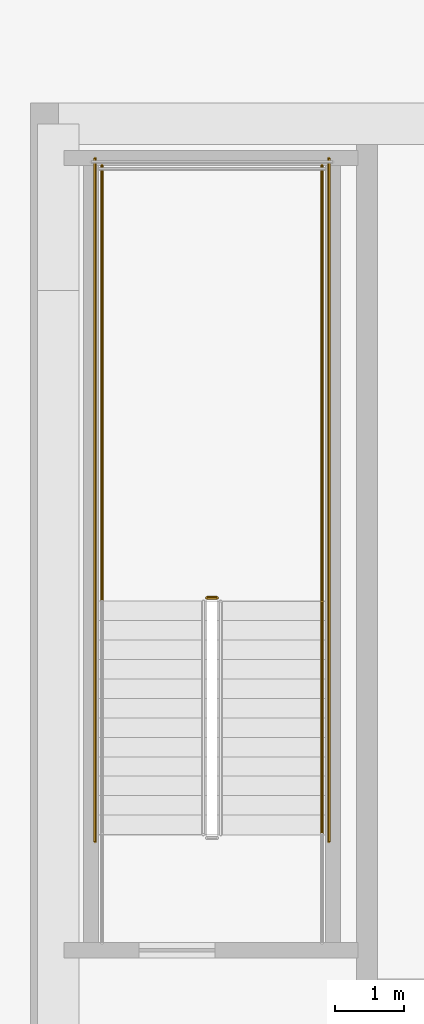
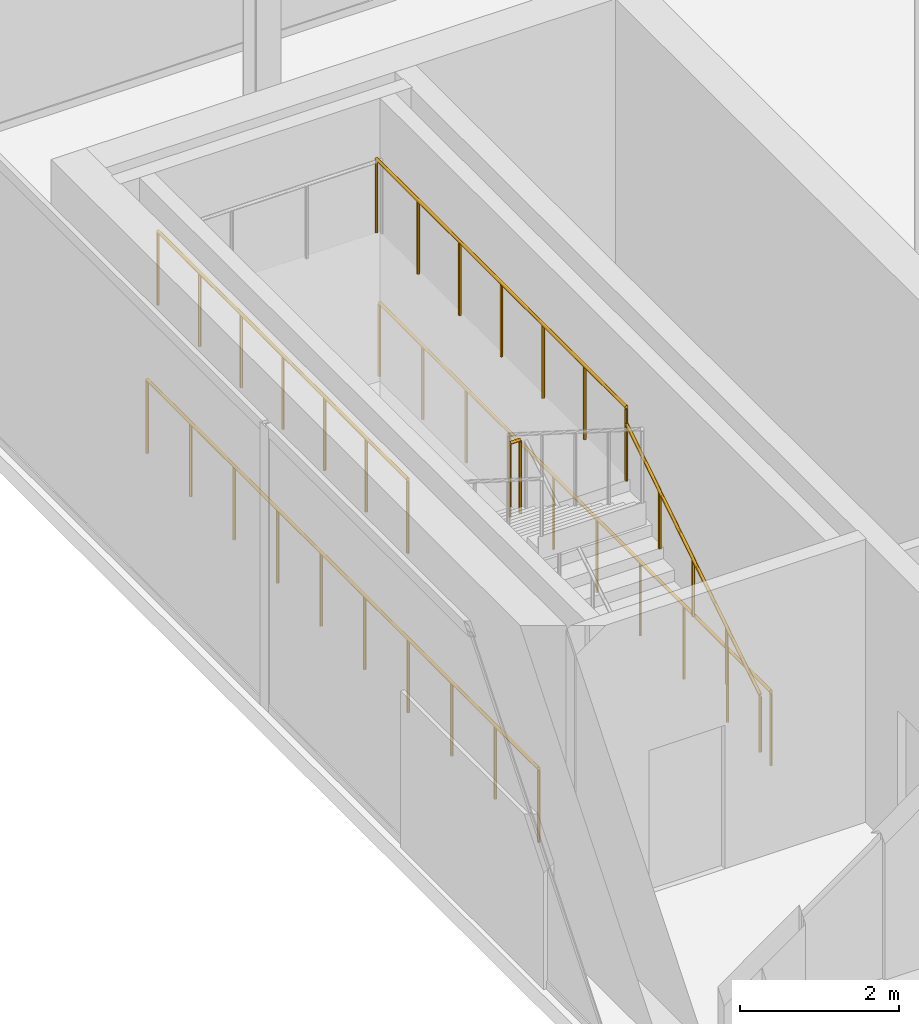
# One storey, part 13 of 15: 6 railings.
"""IFC4 building model written with IfcOpenShell, lengths in metres."""

from ifc_helpers import new_model, si_unit, direction, frame, origin, origin_2d, place, context, subcontext, project, spatial, circle, extrude, material, type_object, element, save


model = new_model("IFC4")

# Units and contexts
model_context = context("Model", 3, precision=1e-05, world=origin(), true_north=direction((0.0, 1.0)))
body_context = subcontext(model_context, "Body", "Model", "MODEL_VIEW")
ifc_project = project(units=[si_unit("LENGTHUNIT", "METRE"), si_unit("AREAUNIT", "SQUARE_METRE"), si_unit("VOLUMEUNIT", "CUBIC_METRE"), si_unit("PLANEANGLEUNIT", "RADIAN"), si_unit("MASSUNIT", "GRAM", prefix="KILO")], contexts=[model_context])

# Site, building, storey
site_placement = place(None, origin())
site = spatial("IfcSite", under=ifc_project, at=site_placement, CompositionType="ELEMENT")
building_placement = place(site_placement, origin())
building = spatial("IfcBuilding", under=site, at=building_placement, Name="Khairoan Windgate Tower", CompositionType="ELEMENT")
storey_placement = place(building_placement, frame((0.0, 0.0, 330.39990234375)))
storey = spatial("IfcBuildingStorey", under=building, at=storey_placement, Name="L79", CompositionType="ELEMENT", Elevation=330.39990234375)

# Railings
ifc_material_1 = material(Name="Anodised Bronze Aluminium 6063-T6", Category="aluminium")
railing_type_1 = type_object("IfcRailingType", Name="Stair Wall Handrail SHR-900", PredefinedType="HANDRAIL", material=ifc_material_1)
railing_1_placement = place(storey_placement, frame((-16.199951171875, 2.9599609375, 0.177001953125)))
element("IfcRailing", 1, at=railing_1_placement, inside=storey, type_object=railing_type_1, Name="L79 ST2 stair handrail 1", PredefinedType="HANDRAIL", context=body_context, shape_type="SweptSolid", body=[
    extrude(circle(Radius=0.02392578125, at=origin_2d()), frame((0.0, 0.0, 0.8759765625), z_axis=(0.0, 0.845389635667, 0.534150132366), x_axis=(-1.0, 0.0, 0.0)), (0.0, 0.0, 1.0), 3.974609375),
    extrude(circle(Radius=0.02099609375, at=origin_2d()), origin(), (0.0, 0.0, 1.0), 0.851806640625),
    extrude(circle(Radius=0.02099609375, at=origin_2d()), frame((0.0, 0.840087890625, 0.53076171875)), (0.0, 0.0, 1.0), 0.851806640625),
    extrude(circle(Radius=0.02099609375, at=origin_2d()), frame((0.0, 1.68017578125, 1.0615234375)), (0.0, 0.0, 1.0), 0.851806640625),
    extrude(circle(Radius=0.02099609375, at=origin_2d()), frame((0.0, 2.52001953125, 1.59228515625)), (0.0, 0.0, 1.0), 0.851806640625),
    extrude(circle(Radius=0.02099609375, at=origin_2d()), frame((0.0, 3.360107421875, 2.123046875)), (0.0, 0.0, 1.0), 0.851806640625),
])
ifc_material_2 = material(Name="Steel S355", Category="steel")
railing_type_2 = type_object("IfcRailingType", Name="Stairwell Safety Guardrail SGR-1150", PredefinedType="GUARDRAIL", material=ifc_material_2)
railing_2_placement = place(storey_placement, frame((-17.7099609375, 6.3701171875, 2.300048828125)))
element("IfcRailing", 2, at=railing_2_placement, inside=storey, type_object=railing_type_2, Name="L79 ST2 stair guard 2", PredefinedType="GUARDRAIL", context=body_context, shape_type="SweptSolid", body=[
    extrude(circle(Radius=0.02392578125, at=origin_2d()), frame((0.0, 0.0, 1.1259765625), z_axis=(-1.0, 0.0, 0.0), x_axis=(0.0, -1.0, 0.0)), (0.0, 0.0, 1.0), 0.150146484375),
    extrude(circle(Radius=0.02099609375, at=origin_2d()), origin(), (0.0, 0.0, 1.0), 1.101806640625),
    extrude(circle(Radius=0.02099609375, at=origin_2d()), frame((-0.150146484375, 0.0, 0.0)), (0.0, 0.0, 1.0), 1.101806640625),
])
for number, where, name in (
    (3, (-16.199951171875, 6.320068359375, 2.300048828125), "L79 ST2 stair guard 3"),
    (4, (-19.3701171875, 6.320068359375, 2.300048828125), "L79 ST2 stair guard 4"),
):
    element("IfcRailing", number, at=place(storey_placement, frame(where)), inside=storey, type_object=railing_type_2, Name=name, PredefinedType="GUARDRAIL", context=body_context, shape_type="SweptSolid", body=[
        extrude(circle(Radius=0.02392578125, at=origin_2d()), frame((0.0, 0.0, 1.1259765625), z_axis=(0.0, 1.0, 0.0), x_axis=(-1.0, 0.0, 0.0)), (0.0, 0.0, 1.0), 6.280029296875),
        extrude(circle(Radius=0.02099609375, at=origin_2d()), origin(), (0.0, 0.0, 1.0), 1.101806640625),
        extrude(circle(Radius=0.02099609375, at=origin_2d()), frame((0.0, 1.046630859375, 0.0)), (0.0, 0.0, 1.0), 1.101806640625),
        extrude(circle(Radius=0.02099609375, at=origin_2d()), frame((0.0, 2.09326171875, 0.0)), (0.0, 0.0, 1.0), 1.101806640625),
        extrude(circle(Radius=0.02099609375, at=origin_2d()), frame((0.0, 3.14013671875, 0.0)), (0.0, 0.0, 1.0), 1.101806640625),
        extrude(circle(Radius=0.02099609375, at=origin_2d()), frame((0.0, 4.186767578125, 0.0)), (0.0, 0.0, 1.0), 1.101806640625),
        extrude(circle(Radius=0.02099609375, at=origin_2d()), frame((0.0, 5.2333984375, 0.0)), (0.0, 0.0, 1.0), 1.101806640625),
        extrude(circle(Radius=0.02099609375, at=origin_2d()), frame((0.0, 6.280029296875, 0.0)), (0.0, 0.0, 1.0), 1.101806640625),
    ])
for number, where, name in (
    (5, (-16.10009765625, 2.860107421875, 0.0), "L79 ST2 stair guard 10"),
    (6, (-19.469970703125, 2.860107421875, 0.0), "L79 ST2 stair guard 11"),
):
    element("IfcRailing", number, at=place(storey_placement, frame(where)), inside=storey, type_object=railing_type_2, Name=name, PredefinedType="GUARDRAIL", context=body_context, shape_type="SweptSolid", body=[
        extrude(circle(Radius=0.02392578125, at=origin_2d()), frame((0.0, 0.0, 1.1259765625), z_axis=(0.0, 1.0, 0.0), x_axis=(-1.0, 0.0, 0.0)), (0.0, 0.0, 1.0), 9.83984375),
        extrude(circle(Radius=0.02099609375, at=origin_2d()), origin(), (0.0, 0.0, 1.0), 1.101806640625),
        extrude(circle(Radius=0.02099609375, at=origin_2d()), frame((0.0, 1.09326171875, 0.0)), (0.0, 0.0, 1.0), 1.101806640625),
        extrude(circle(Radius=0.02099609375, at=origin_2d()), frame((0.0, 2.1865234375, 0.0)), (0.0, 0.0, 1.0), 1.101806640625),
        extrude(circle(Radius=0.02099609375, at=origin_2d()), frame((0.0, 3.280029296875, 0.0)), (0.0, 0.0, 1.0), 1.101806640625),
        extrude(circle(Radius=0.02099609375, at=origin_2d()), frame((0.0, 4.373291015625, 0.0)), (0.0, 0.0, 1.0), 1.101806640625),
        extrude(circle(Radius=0.02099609375, at=origin_2d()), frame((0.0, 5.466552734375, 0.0)), (0.0, 0.0, 1.0), 1.101806640625),
        extrude(circle(Radius=0.02099609375, at=origin_2d()), frame((0.0, 6.559814453125, 0.0)), (0.0, 0.0, 1.0), 1.101806640625),
        extrude(circle(Radius=0.02099609375, at=origin_2d()), frame((0.0, 7.6533203125, 0.0)), (0.0, 0.0, 1.0), 1.101806640625),
        extrude(circle(Radius=0.02099609375, at=origin_2d()), frame((0.0, 8.74658203125, 0.0)), (0.0, 0.0, 1.0), 1.101806640625),
        extrude(circle(Radius=0.02099609375, at=origin_2d()), frame((0.0, 9.83984375, 0.0)), (0.0, 0.0, 1.0), 1.101806640625),
    ])

save(model, "model.ifc")
